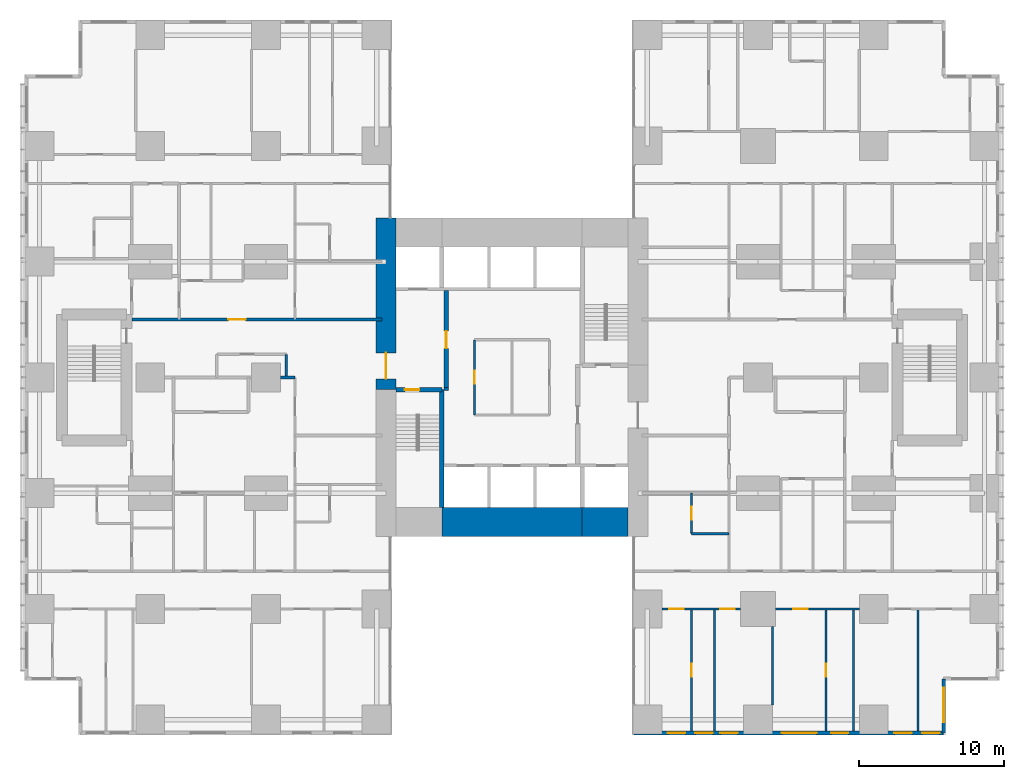
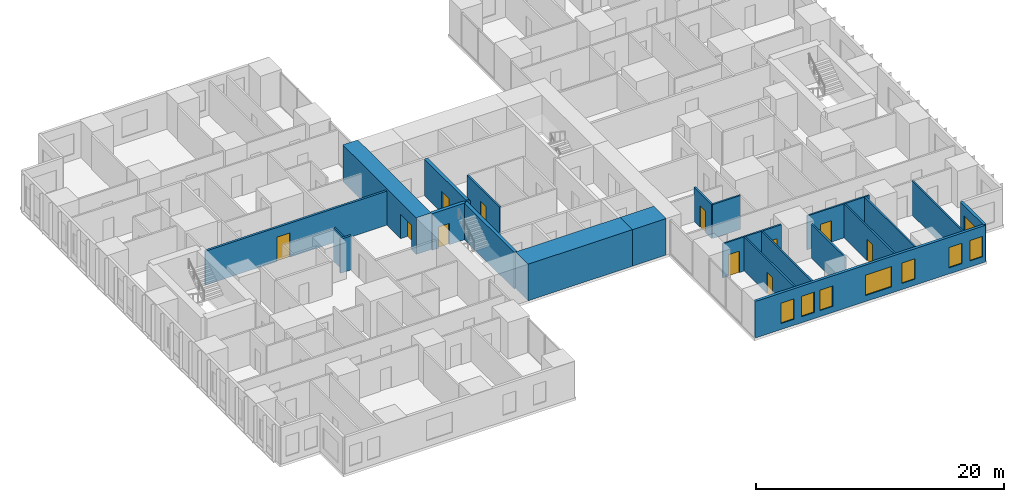
# One storey, part 14 of 20: 23 walls, 11 doors, 8 windows, 19 openings.
"""IFC4 building model written with IfcOpenShell, lengths in metres."""

from ifc_helpers import new_model, si_unit, direction, frame, frame_2d, origin, place, context, subcontext, project, spatial, rectangle, extrude, material, layer, layer_set, type_object, element, fill, save


model = new_model("IFC4")

# Units and contexts
model_context = context("Model", 3, precision=1e-05, world=origin(), true_north=direction((0.0, 1.0)))
body_context = subcontext(model_context, "Body", "Model", "MODEL_VIEW")
ifc_project = project(units=[si_unit("LENGTHUNIT", "METRE"), si_unit("AREAUNIT", "SQUARE_METRE"), si_unit("VOLUMEUNIT", "CUBIC_METRE"), si_unit("PLANEANGLEUNIT", "RADIAN"), si_unit("MASSUNIT", "GRAM", prefix="KILO")], contexts=[model_context])

# Site, building, storey
site_placement = place(None, origin())
site = spatial("IfcSite", under=ifc_project, at=site_placement, CompositionType="ELEMENT")
building_placement = place(site_placement, origin())
building = spatial("IfcBuilding", under=site, at=building_placement, Name="Cleftline Residences", CompositionType="ELEMENT")
storey_placement = place(building_placement, frame((0.0, 0.0, 83.60009765625)))
storey = spatial("IfcBuildingStorey", under=building, at=storey_placement, Name="L21", CompositionType="ELEMENT", Elevation=83.60009765625)

# Wall, opening, door
ifc_material_1 = material(Name="Concrete B70", Category="concrete")
ifc_layer_1 = layer(ifc_material_1, 1.39990234375)
ifc_layer_set_1 = layer_set([ifc_layer_1], Name="CORE WALL 1400")
wall_type_1 = type_object("IfcWallType", Name="CORE WALL 1400", PredefinedType="SHEAR", material=ifc_layer_set_1)
wall_1_placement = place(storey_placement, frame((24.300048828125, 23.14990234375, 0.0), z_axis=(0.0, 0.0, 1.0), x_axis=(0.0, 1.0, 0.0)))
wall_1 = element("IfcWall", 1, at=wall_1_placement, inside=storey, type_object=wall_type_1, Name="Core wall W", PredefinedType="SHEAR", context=body_context, shape_type="SweptSolid", body=[
    extrude(rectangle(XDim=11.85009765625, YDim=1.39990234375, at=frame_2d((5.925048828125, 0.0))), origin(), (0.0, 0.0, 1.0), 3.599853515625),
])
opening_1_placement = place(wall_1_placement, frame((0.75, 0.0, 0.0)))
opening_1 = element("IfcOpeningElement", 2, at=opening_1_placement, cuts=wall_1, Name="Opening D7", PredefinedType="OPENING", context=body_context, shape_type="SweptSolid", body=[
    extrude(rectangle(XDim=1.800048828125, YDim=2.39990234375, at=frame_2d((0.89990234375, 1.199951171875))), frame((0.0, 0.7099609375, 0.0), z_axis=(0.0, -1.0, 0.0), x_axis=(1.0, 0.0, 0.0)), (0.0, 0.0, 1.0), 1.419921875),
])
ifc_material_2 = material(Name="Steel", Category="steel")
door_type_1 = type_object("IfcDoorType", Name="WING DOOR 1800X2400", OperationType="DOUBLE_DOOR_DOUBLE_SWING", PredefinedType="DOOR", material=ifc_material_2)
door_1_placement = place(opening_1_placement, origin())
door_1 = element("IfcDoor", 3, at=door_1_placement, inside=storey, type_object=door_type_1, Name="West wing door", OperationType="DOUBLE_DOOR_DOUBLE_SWING", OverallHeight=2.39990234375, OverallWidth=1.800048828125, PredefinedType="DOOR", context=body_context, shape_type="SweptSolid", body=[
    extrude(rectangle(XDim=1.800048828125, YDim=2.39990234375, at=frame_2d((0.89990234375, 1.199951171875))), frame((0.0, 0.02490234375, 0.0), z_axis=(0.0, -1.0, 0.0), x_axis=(1.0, 0.0, 0.0)), (0.0, 0.0, 1.0), 0.050048828125),
])
fill(opening_1, door_1)

# Walls
ifc_material_3 = material(Name="Concrete B70", Category="concrete")
ifc_layer_2 = layer(ifc_material_3, 2.0)
ifc_layer_set_2 = layer_set([ifc_layer_2], Name="CORE WALL 2000")
wall_type_2 = type_object("IfcWallType", Name="CORE WALL 2000", PredefinedType="SHEAR", material=ifc_layer_set_2)
wall_2_placement = place(storey_placement, frame((28.14990234375, 14.0, 0.0), z_axis=(0.0, 0.0, 1.0), x_axis=(1.0, 0.0, 0.0)))
element("IfcWall", 4, at=wall_2_placement, inside=storey, type_object=wall_type_2, Name="Core wall S2", PredefinedType="SHEAR", context=body_context, shape_type="SweptSolid", body=[
    extrude(rectangle(XDim=9.7001953125, YDim=2.0, at=frame_2d((4.85009765625, 0.0))), origin(), (0.0, 0.0, 1.0), 3.599853515625),
])
wall_3_placement = place(storey_placement, frame((37.85009765625, 14.0, 0.0), z_axis=(0.0, 0.0, 1.0), x_axis=(1.0, 0.0, 0.0)))
element("IfcWall", 5, at=wall_3_placement, inside=storey, type_object=wall_type_2, Name="Core wall S3", PredefinedType="SHEAR", context=body_context, shape_type="SweptSolid", body=[
    extrude(rectangle(XDim=3.14990234375, YDim=2.0, at=frame_2d((1.574951171875, 0.0))), origin(), (0.0, 0.0, 1.0), 3.599853515625),
])
ifc_material_4 = material(Name="Concrete B70", Category="concrete")
ifc_layer_3 = layer(ifc_material_4, 0.300048828125)
ifc_layer_set_3 = layer_set([ifc_layer_3], Name="CORE WALL 300")
wall_type_3 = type_object("IfcWallType", Name="CORE WALL 300", PredefinedType="SHEAR", material=ifc_layer_set_3)
wall_4_placement = place(storey_placement, frame((28.14990234375, 15.0, 0.0), z_axis=(0.0, 0.0, 1.0), x_axis=(0.0, 1.0, 0.0)))
element("IfcWall", 6, at=wall_4_placement, inside=storey, type_object=wall_type_3, Name="Core wall SA-E", PredefinedType="SHEAR", context=body_context, shape_type="SweptSolid", body=[
    extrude(rectangle(XDim=8.14990234375, YDim=0.300048828125, at=frame_2d((4.074951171875, 0.0))), origin(), (0.0, 0.0, 1.0), 3.599853515625),
])

# Wall, opening, door
wall_5_placement = place(storey_placement, frame((25.0, 23.14990234375, 0.0), z_axis=(0.0, 0.0, 1.0), x_axis=(1.0, 0.0, 0.0)))
wall_5 = element("IfcWall", 7, at=wall_5_placement, inside=storey, type_object=wall_type_3, Name="Core wall SA-N", PredefinedType="SHEAR", context=body_context, shape_type="SweptSolid", body=[
    extrude(rectangle(XDim=3.14990234375, YDim=0.300048828125, at=frame_2d((1.574951171875, 0.0))), origin(), (0.0, 0.0, 1.0), 3.599853515625),
])
opening_2_placement = place(wall_5_placement, frame((0.60009765625, 0.0, 0.0)))
opening_2 = element("IfcOpeningElement", 8, at=opening_2_placement, cuts=wall_5, Name="Opening D5", PredefinedType="OPENING", context=body_context, shape_type="SweptSolid", body=[
    extrude(rectangle(XDim=1.0, YDim=2.10009765625, at=frame_2d((0.5, 1.050048828125))), frame((0.0, 0.159912109375, 0.0), z_axis=(0.0, -1.0, 0.0), x_axis=(1.0, 0.0, 0.0)), (0.0, 0.0, 1.0), 0.320068359375),
])
ifc_material_5 = material(Name="Steel", Category="steel")
door_type_2 = type_object("IfcDoorType", Name="STAIR DOOR 1000X2100", OperationType="SINGLE_SWING_LEFT", PredefinedType="DOOR", material=ifc_material_5)
door_2_placement = place(opening_2_placement, origin())
door_2 = element("IfcDoor", 9, at=door_2_placement, inside=storey, type_object=door_type_2, Name="Stair A door", OperationType="SINGLE_SWING_RIGHT", OverallHeight=2.10009765625, OverallWidth=1.0, PredefinedType="DOOR", context=body_context, shape_type="SweptSolid", body=[
    extrude(rectangle(XDim=1.0, YDim=2.10009765625, at=frame_2d((0.5, 1.050048828125))), frame((0.0, 0.02490234375, 0.0), z_axis=(0.0, -1.0, 0.0), x_axis=(1.0, 0.0, 0.0)), (0.0, 0.0, 1.0), 0.050048828125),
])
fill(opening_2, door_2)

# Wall, openings, windows
ifc_material_6 = material(Name="Rendered reinforced concrete blockwork", Category="masonry")
ifc_layer_4 = layer(ifc_material_6, 0.25)
ifc_layer_set_4 = layer_set([ifc_layer_4], Name="EXTERNAL WALL 250")
wall_type_4 = type_object("IfcWallType", Name="EXTERNAL WALL 250", PredefinedType="SOLIDWALL", material=ifc_layer_set_4)
wall_6_placement = place(storey_placement, frame((41.425048828125, -0.574951171875, 0.0), z_axis=(0.0, 0.0, 1.0), x_axis=(1.0, 0.0, 0.0)))
wall_6 = element("IfcWall", 10, at=wall_6_placement, inside=storey, type_object=wall_type_4, Name="External wall", PredefinedType="SOLIDWALL", context=body_context, shape_type="SweptSolid", body=[
    extrude(rectangle(XDim=21.39990234375, YDim=0.25, at=frame_2d((10.699951171875, 0.0))), origin(), (0.0, 0.0, 1.0), 3.599853515625),
])
opening_3_placement = place(wall_6_placement, frame((2.35009765625, 0.0, 0.60009765625)))
opening_3 = element("IfcOpeningElement", 11, at=opening_3_placement, cuts=wall_6, Name="Opening W8", PredefinedType="OPENING", context=body_context, shape_type="SweptSolid", body=[
    extrude(rectangle(XDim=1.199951171875, YDim=2.0, at=frame_2d((0.60009765625, 1.0))), frame((0.0, 0.135009765625, 0.0), z_axis=(0.0, -1.0, 0.0), x_axis=(1.0, 0.0, 0.0)), (0.0, 0.0, 1.0), 0.27001953125),
])
opening_4_placement = place(wall_6_placement, frame((4.25, 0.0, 0.60009765625)))
opening_4 = element("IfcOpeningElement", 12, at=opening_4_placement, cuts=wall_6, Name="Opening W8", PredefinedType="OPENING", context=body_context, shape_type="SweptSolid", body=[
    extrude(rectangle(XDim=1.199951171875, YDim=2.0, at=frame_2d((0.60009765625, 1.0))), frame((0.0, 0.135009765625, 0.0), z_axis=(0.0, -1.0, 0.0), x_axis=(1.0, 0.0, 0.0)), (0.0, 0.0, 1.0), 0.27001953125),
])
opening_5_placement = place(wall_6_placement, frame((5.97509765625, 0.0, 0.60009765625)))
opening_5 = element("IfcOpeningElement", 13, at=opening_5_placement, cuts=wall_6, Name="Opening W8", PredefinedType="OPENING", context=body_context, shape_type="SweptSolid", body=[
    extrude(rectangle(XDim=1.199951171875, YDim=2.0, at=frame_2d((0.60009765625, 1.0))), frame((0.0, 0.135009765625, 0.0), z_axis=(0.0, -1.0, 0.0), x_axis=(1.0, 0.0, 0.0)), (0.0, 0.0, 1.0), 0.27001953125),
])
opening_6_placement = place(wall_6_placement, frame((10.22509765625, 0.0, 0.60009765625)))
opening_6 = element("IfcOpeningElement", 14, at=opening_6_placement, cuts=wall_6, Name="Opening W6", PredefinedType="OPENING", context=body_context, shape_type="SweptSolid", body=[
    extrude(rectangle(XDim=2.39990234375, YDim=2.0, at=frame_2d((1.199951171875, 1.0))), frame((0.0, 0.135009765625, 0.0), z_axis=(0.0, -1.0, 0.0), x_axis=(1.0, 0.0, 0.0)), (0.0, 0.0, 1.0), 0.27001953125),
])
opening_7_placement = place(wall_6_placement, frame((13.625, 0.0, 0.60009765625)))
opening_7 = element("IfcOpeningElement", 15, at=opening_7_placement, cuts=wall_6, Name="Opening W8", PredefinedType="OPENING", context=body_context, shape_type="SweptSolid", body=[
    extrude(rectangle(XDim=1.199951171875, YDim=2.0, at=frame_2d((0.60009765625, 1.0))), frame((0.0, 0.135009765625, 0.0), z_axis=(0.0, -1.0, 0.0), x_axis=(1.0, 0.0, 0.0)), (0.0, 0.0, 1.0), 0.27001953125),
])
opening_8_placement = place(wall_6_placement, frame((18.0, 0.0, 0.60009765625)))
opening_8 = element("IfcOpeningElement", 16, at=opening_8_placement, cuts=wall_6, Name="Opening W8", PredefinedType="OPENING", context=body_context, shape_type="SweptSolid", body=[
    extrude(rectangle(XDim=1.199951171875, YDim=2.0, at=frame_2d((0.60009765625, 1.0))), frame((0.0, 0.135009765625, 0.0), z_axis=(0.0, -1.0, 0.0), x_axis=(1.0, 0.0, 0.0)), (0.0, 0.0, 1.0), 0.27001953125),
])
opening_9_placement = place(wall_6_placement, frame((19.925048828125, 0.0, 0.60009765625)))
opening_9 = element("IfcOpeningElement", 17, at=opening_9_placement, cuts=wall_6, Name="Opening W8", PredefinedType="OPENING", context=body_context, shape_type="SweptSolid", body=[
    extrude(rectangle(XDim=1.199951171875, YDim=2.0, at=frame_2d((0.60009765625, 1.0))), frame((0.0, 0.135009765625, 0.0), z_axis=(0.0, -1.0, 0.0), x_axis=(1.0, 0.0, 0.0)), (0.0, 0.0, 1.0), 0.27001953125),
])
ifc_material_7 = material(Name="Aluminium frame, clear double glazing", Category="aluminium")
window_type_1 = type_object("IfcWindowType", Name="WINDOW 1200X2000", PartitioningType="DOUBLE_PANEL_VERTICAL", PredefinedType="WINDOW", material=ifc_material_7)
window_1_placement = place(opening_3_placement, origin())
window_1 = element("IfcWindow", 18, at=window_1_placement, inside=storey, type_object=window_type_1, Name="Window", OverallHeight=2.0, OverallWidth=1.199951171875, PartitioningType="SINGLE_PANEL", PredefinedType="WINDOW", context=body_context, shape_type="SweptSolid", body=[
    extrude(rectangle(XDim=1.199951171875, YDim=2.0, at=frame_2d((0.60009765625, 1.0))), frame((0.0, 0.030029296875, 0.0), z_axis=(0.0, -1.0, 0.0), x_axis=(1.0, 0.0, 0.0)), (0.0, 0.0, 1.0), 0.06005859375),
])
fill(opening_3, window_1)
window_2_placement = place(opening_4_placement, origin())
window_2 = element("IfcWindow", 19, at=window_2_placement, inside=storey, type_object=window_type_1, Name="Window", OverallHeight=2.0, OverallWidth=1.199951171875, PartitioningType="SINGLE_PANEL", PredefinedType="WINDOW", context=body_context, shape_type="SweptSolid", body=[
    extrude(rectangle(XDim=1.199951171875, YDim=2.0, at=frame_2d((0.60009765625, 1.0))), frame((0.0, 0.030029296875, 0.0), z_axis=(0.0, -1.0, 0.0), x_axis=(1.0, 0.0, 0.0)), (0.0, 0.0, 1.0), 0.06005859375),
])
fill(opening_4, window_2)
window_3_placement = place(opening_5_placement, origin())
window_3 = element("IfcWindow", 20, at=window_3_placement, inside=storey, type_object=window_type_1, Name="Window", OverallHeight=2.0, OverallWidth=1.199951171875, PartitioningType="SINGLE_PANEL", PredefinedType="WINDOW", context=body_context, shape_type="SweptSolid", body=[
    extrude(rectangle(XDim=1.199951171875, YDim=2.0, at=frame_2d((0.60009765625, 1.0))), frame((0.0, 0.030029296875, 0.0), z_axis=(0.0, -1.0, 0.0), x_axis=(1.0, 0.0, 0.0)), (0.0, 0.0, 1.0), 0.06005859375),
])
fill(opening_5, window_3)
window_4_placement = place(opening_7_placement, origin())
window_4 = element("IfcWindow", 21, at=window_4_placement, inside=storey, type_object=window_type_1, Name="Window", OverallHeight=2.0, OverallWidth=1.199951171875, PartitioningType="SINGLE_PANEL", PredefinedType="WINDOW", context=body_context, shape_type="SweptSolid", body=[
    extrude(rectangle(XDim=1.199951171875, YDim=2.0, at=frame_2d((0.60009765625, 1.0))), frame((0.0, 0.030029296875, 0.0), z_axis=(0.0, -1.0, 0.0), x_axis=(1.0, 0.0, 0.0)), (0.0, 0.0, 1.0), 0.06005859375),
])
fill(opening_7, window_4)
window_5_placement = place(opening_8_placement, origin())
window_5 = element("IfcWindow", 22, at=window_5_placement, inside=storey, type_object=window_type_1, Name="Window", OverallHeight=2.0, OverallWidth=1.199951171875, PartitioningType="SINGLE_PANEL", PredefinedType="WINDOW", context=body_context, shape_type="SweptSolid", body=[
    extrude(rectangle(XDim=1.199951171875, YDim=2.0, at=frame_2d((0.60009765625, 1.0))), frame((0.0, 0.030029296875, 0.0), z_axis=(0.0, -1.0, 0.0), x_axis=(1.0, 0.0, 0.0)), (0.0, 0.0, 1.0), 0.06005859375),
])
fill(opening_8, window_5)
window_6_placement = place(opening_9_placement, origin())
window_6 = element("IfcWindow", 23, at=window_6_placement, inside=storey, type_object=window_type_1, Name="Window", OverallHeight=2.0, OverallWidth=1.199951171875, PartitioningType="SINGLE_PANEL", PredefinedType="WINDOW", context=body_context, shape_type="SweptSolid", body=[
    extrude(rectangle(XDim=1.199951171875, YDim=2.0, at=frame_2d((0.60009765625, 1.0))), frame((0.0, 0.030029296875, 0.0), z_axis=(0.0, -1.0, 0.0), x_axis=(1.0, 0.0, 0.0)), (0.0, 0.0, 1.0), 0.06005859375),
])
fill(opening_9, window_6)
ifc_material_8 = material(Name="Aluminium frame, clear double glazing", Category="aluminium")
window_type_2 = type_object("IfcWindowType", Name="WINDOW 2400X2000", PartitioningType="DOUBLE_PANEL_VERTICAL", PredefinedType="WINDOW", material=ifc_material_8)
window_7_placement = place(opening_6_placement, origin())
window_7 = element("IfcWindow", 24, at=window_7_placement, inside=storey, type_object=window_type_2, Name="Window", OverallHeight=2.0, OverallWidth=2.39990234375, PartitioningType="SINGLE_PANEL", PredefinedType="WINDOW", context=body_context, shape_type="SweptSolid", body=[
    extrude(rectangle(XDim=2.39990234375, YDim=2.0, at=frame_2d((1.199951171875, 1.0))), frame((0.0, 0.030029296875, 0.0), z_axis=(0.0, -1.0, 0.0), x_axis=(1.0, 0.0, 0.0)), (0.0, 0.0, 1.0), 0.06005859375),
])
fill(opening_6, window_7)

# Wall, opening, window
wall_7_placement = place(storey_placement, frame((62.824951171875, -0.574951171875, 0.0), z_axis=(0.0, 0.0, 1.0), x_axis=(0.0, 1.0, 0.0)))
wall_7 = element("IfcWall", 25, at=wall_7_placement, inside=storey, type_object=wall_type_4, Name="External wall", PredefinedType="SOLIDWALL", context=body_context, shape_type="SweptSolid", body=[
    extrude(rectangle(XDim=3.75, YDim=0.25, at=frame_2d((1.875, 0.0))), origin(), (0.0, 0.0, 1.0), 3.599853515625),
])
opening_10_placement = place(wall_7_placement, frame((0.737548828125, 0.0, 0.60009765625)))
opening_10 = element("IfcOpeningElement", 26, at=opening_10_placement, cuts=wall_7, Name="Opening W6", PredefinedType="OPENING", context=body_context, shape_type="SweptSolid", body=[
    extrude(rectangle(XDim=2.39990234375, YDim=2.0, at=frame_2d((1.199951171875, 1.0))), frame((0.0, 0.135009765625, 0.0), z_axis=(0.0, -1.0, 0.0), x_axis=(1.0, 0.0, 0.0)), (0.0, 0.0, 1.0), 0.27001953125),
])
window_8_placement = place(opening_10_placement, origin())
window_8 = element("IfcWindow", 27, at=window_8_placement, inside=storey, type_object=window_type_2, Name="Window", OverallHeight=2.0, OverallWidth=2.39990234375, PartitioningType="SINGLE_PANEL", PredefinedType="WINDOW", context=body_context, shape_type="SweptSolid", body=[
    extrude(rectangle(XDim=2.39990234375, YDim=2.0, at=frame_2d((1.199951171875, 1.0))), frame((0.0, 0.030029296875, 0.0), z_axis=(0.0, -1.0, 0.0), x_axis=(1.0, 0.0, 0.0)), (0.0, 0.0, 1.0), 0.06005859375),
])
fill(opening_10, window_8)

# Wall
ifc_material_9 = material(Name="Concrete blockwork, fire rated", Category="masonry")
ifc_layer_5 = layer(ifc_material_9, 0.199951171875)
ifc_layer_set_5 = layer_set([ifc_layer_5], Name="FIRE WALL 200")
wall_type_5 = type_object("IfcWallType", Name="FIRE WALL 200", PredefinedType="PARTITIONING", material=ifc_layer_set_5)
wall_8_placement = place(storey_placement, frame((17.0, 24.0, 0.0), z_axis=(0.0, 0.0, 1.0), x_axis=(1.0, 0.0, 0.0)))
element("IfcWall", 28, at=wall_8_placement, inside=storey, type_object=wall_type_5, Name="Fire separating wall", PredefinedType="PARTITIONING", context=body_context, shape_type="SweptSolid", body=[
    extrude(rectangle(XDim=1.0, YDim=0.199951171875, at=frame_2d((0.5, 0.0))), origin(), (0.0, 0.0, 1.0), 3.349853515625),
])

# Wall, opening, door
wall_9_placement = place(storey_placement, frame((6.72509765625, 28.0, 0.0), z_axis=(0.0, 0.0, 1.0), x_axis=(1.0, 0.0, 0.0)))
wall_9 = element("IfcWall", 29, at=wall_9_placement, inside=storey, type_object=wall_type_5, Name="Fire separating wall", PredefinedType="PARTITIONING", context=body_context, shape_type="SweptSolid", body=[
    extrude(rectangle(XDim=17.27490234375, YDim=0.199951171875, at=frame_2d((8.637451171875, 0.0))), origin(), (0.0, 0.0, 1.0), 3.349853515625),
])
opening_11_placement = place(wall_9_placement, frame((6.675048828125, 0.0, 0.0)))
opening_11 = element("IfcOpeningElement", 30, at=opening_11_placement, cuts=wall_9, Name="Opening D4", PredefinedType="OPENING", context=body_context, shape_type="SweptSolid", body=[
    extrude(rectangle(XDim=1.199951171875, YDim=2.39990234375, at=frame_2d((0.60009765625, 1.199951171875))), frame((0.0, 0.10986328125, 0.0), z_axis=(0.0, -1.0, 0.0), x_axis=(1.0, 0.0, 0.0)), (0.0, 0.0, 1.0), 0.219970703125),
])
ifc_material_10 = material(Name="Timber veneer on solid core", Category="wood")
door_type_3 = type_object("IfcDoorType", Name="APARTMENT ENTRANCE DOOR 1200X2400", OperationType="SINGLE_SWING_RIGHT", PredefinedType="DOOR", material=ifc_material_10)
door_3_placement = place(opening_11_placement, origin())
door_3 = element("IfcDoor", 31, at=door_3_placement, inside=storey, type_object=door_type_3, Name="Door to residence entrance foyer", OperationType="SINGLE_SWING_RIGHT", OverallHeight=2.39990234375, OverallWidth=1.199951171875, PredefinedType="DOOR", context=body_context, shape_type="SweptSolid", body=[
    extrude(rectangle(XDim=1.199951171875, YDim=2.39990234375, at=frame_2d((0.60009765625, 1.199951171875))), frame((0.0, 0.02490234375, 0.0), z_axis=(0.0, -1.0, 0.0), x_axis=(1.0, 0.0, 0.0)), (0.0, 0.0, 1.0), 0.050048828125),
])
fill(opening_11, door_3)

# Wall
wall_10_placement = place(storey_placement, frame((28.300048828125, 23.199951171875, 0.0), z_axis=(0.0, 0.0, 1.0), x_axis=(1.0, 0.0, 0.0)))
element("IfcWall", 32, at=wall_10_placement, inside=storey, type_object=wall_type_5, Name="Fire separating wall", PredefinedType="PARTITIONING", context=body_context, shape_type="SweptSolid", body=[
    extrude(rectangle(XDim=0.300048828125, YDim=0.199951171875, at=frame_2d((0.14990234375, 0.0))), origin(), (0.0, 0.0, 1.0), 3.599853515625),
])

# Wall, openings, doors
ifc_material_11 = material(Name="Gypsum board on steel studs", Category="steel")
ifc_layer_6 = layer(ifc_material_11, 0.14990234375)
ifc_layer_set_6 = layer_set([ifc_layer_6], Name="PARTITION 150")
wall_type_6 = type_object("IfcWallType", Name="PARTITION 150", PredefinedType="PARTITIONING", material=ifc_layer_set_6)
wall_11_placement = place(storey_placement, frame((43.35009765625, 8.0, 0.0), z_axis=(0.0, 0.0, 1.0), x_axis=(1.0, 0.0, 0.0)))
wall_11 = element("IfcWall", 33, at=wall_11_placement, inside=storey, type_object=wall_type_6, Name="Partition", PredefinedType="PARTITIONING", context=body_context, shape_type="SweptSolid", body=[
    extrude(rectangle(XDim=5.449951171875, YDim=0.14990234375, at=frame_2d((2.72509765625, 0.0))), origin(), (0.0, 0.0, 1.0), 3.349853515625),
])
opening_12_placement = place(wall_11_placement, frame((4.050048828125, 0.0, 0.0)))
opening_12 = element("IfcOpeningElement", 34, at=opening_12_placement, cuts=wall_11, Name="Opening D2", PredefinedType="OPENING", context=body_context, shape_type="SweptSolid", body=[
    extrude(rectangle(XDim=1.0, YDim=2.10009765625, at=frame_2d((0.5, 1.050048828125))), frame((0.0, 0.0849609375, 0.0), z_axis=(0.0, -1.0, 0.0), x_axis=(1.0, 0.0, 0.0)), (0.0, 0.0, 1.0), 0.169921875),
])
opening_13_placement = place(wall_11_placement, frame((0.52490234375, 0.0, 0.0)))
opening_13 = element("IfcOpeningElement", 35, at=opening_13_placement, cuts=wall_11, Name="Opening D2", PredefinedType="OPENING", context=body_context, shape_type="SweptSolid", body=[
    extrude(rectangle(XDim=1.0, YDim=2.10009765625, at=frame_2d((0.5, 1.050048828125))), frame((0.0, 0.0849609375, 0.0), z_axis=(0.0, -1.0, 0.0), x_axis=(1.0, 0.0, 0.0)), (0.0, 0.0, 1.0), 0.169921875),
])
ifc_material_12 = material(Name="Timber veneer on solid core", Category="wood")
door_type_4 = type_object("IfcDoorType", Name="DOOR 1000X2100", OperationType="SINGLE_SWING_LEFT", PredefinedType="DOOR", material=ifc_material_12)
door_4_placement = place(opening_12_placement, origin())
door_4 = element("IfcDoor", 36, at=door_4_placement, inside=storey, type_object=door_type_4, Name="Door to dining room", OperationType="SINGLE_SWING_LEFT", OverallHeight=2.10009765625, OverallWidth=1.0, PredefinedType="DOOR", context=body_context, shape_type="SweptSolid", body=[
    extrude(rectangle(XDim=1.0, YDim=2.10009765625, at=frame_2d((0.5, 1.050048828125))), frame((0.0, 0.02490234375, 0.0), z_axis=(0.0, -1.0, 0.0), x_axis=(1.0, 0.0, 0.0)), (0.0, 0.0, 1.0), 0.050048828125),
])
fill(opening_12, door_4)
door_5_placement = place(opening_13_placement, origin())
door_5 = element("IfcDoor", 37, at=door_5_placement, inside=storey, type_object=door_type_4, Name="Door to show kitchen", OperationType="SINGLE_SWING_RIGHT", OverallHeight=2.10009765625, OverallWidth=1.0, PredefinedType="DOOR", context=body_context, shape_type="SweptSolid", body=[
    extrude(rectangle(XDim=1.0, YDim=2.10009765625, at=frame_2d((0.5, 1.050048828125))), frame((0.0, 0.02490234375, 0.0), z_axis=(0.0, -1.0, 0.0), x_axis=(1.0, 0.0, 0.0)), (0.0, 0.0, 1.0), 0.050048828125),
])
fill(opening_13, door_5)

# Wall, opening, door
wall_12_placement = place(storey_placement, frame((51.199951171875, 8.0, 0.0), z_axis=(0.0, 0.0, 1.0), x_axis=(1.0, 0.0, 0.0)))
wall_12 = element("IfcWall", 38, at=wall_12_placement, inside=storey, type_object=wall_type_6, Name="Partition", PredefinedType="PARTITIONING", context=body_context, shape_type="SweptSolid", body=[
    extrude(rectangle(XDim=5.800048828125, YDim=0.14990234375, at=frame_2d((2.89990234375, 0.0))), origin(), (0.0, 0.0, 1.0), 3.349853515625),
])
opening_14_placement = place(wall_12_placement, frame((1.25, 0.0, 0.0)))
opening_14 = element("IfcOpeningElement", 39, at=opening_14_placement, cuts=wall_12, Name="Opening D2", PredefinedType="OPENING", context=body_context, shape_type="SweptSolid", body=[
    extrude(rectangle(XDim=1.0, YDim=2.10009765625, at=frame_2d((0.5, 1.050048828125))), frame((0.0, 0.0849609375, 0.0), z_axis=(0.0, -1.0, 0.0), x_axis=(1.0, 0.0, 0.0)), (0.0, 0.0, 1.0), 0.169921875),
])
door_6_placement = place(opening_14_placement, origin())
door_6 = element("IfcDoor", 40, at=door_6_placement, inside=storey, type_object=door_type_4, Name="Door to bedroom 3", OperationType="SINGLE_SWING_RIGHT", OverallHeight=2.10009765625, OverallWidth=1.0, PredefinedType="DOOR", context=body_context, shape_type="SweptSolid", body=[
    extrude(rectangle(XDim=1.0, YDim=2.10009765625, at=frame_2d((0.5, 1.050048828125))), frame((0.0, 0.02490234375, 0.0), z_axis=(0.0, -1.0, 0.0), x_axis=(1.0, 0.0, 0.0)), (0.0, 0.0, 1.0), 0.050048828125),
])
fill(opening_14, door_6)

# Walls
wall_13_placement = place(storey_placement, frame((45.39990234375, 13.199951171875, 0.0), z_axis=(0.0, 0.0, 1.0), x_axis=(1.0, 0.0, 0.0)))
element("IfcWall", 41, at=wall_13_placement, inside=storey, type_object=wall_type_6, Name="Partition", PredefinedType="PARTITIONING", context=body_context, shape_type="SweptSolid", body=[
    extrude(rectangle(XDim=2.60009765625, YDim=0.14990234375, at=frame_2d((1.300048828125, 0.0))), origin(), (0.0, 0.0, 1.0), 3.349853515625),
])
wall_14_placement = place(storey_placement, frame((17.39990234375, 24.0, 0.0), z_axis=(0.0, 0.0, 1.0), x_axis=(0.0, 1.0, 0.0)))
element("IfcWall", 42, at=wall_14_placement, inside=storey, type_object=wall_type_6, Name="Partition", PredefinedType="PARTITIONING", context=body_context, shape_type="SweptSolid", body=[
    extrude(rectangle(XDim=1.60009765625, YDim=0.14990234375, at=frame_2d((0.800048828125, 0.0))), origin(), (0.0, 0.0, 1.0), 3.349853515625),
])

# Wall, opening, door
wall_15_placement = place(storey_placement, frame((45.39990234375, -0.449951171875, 0.0), z_axis=(0.0, 0.0, 1.0), x_axis=(0.0, 1.0, 0.0)))
wall_15 = element("IfcWall", 43, at=wall_15_placement, inside=storey, type_object=wall_type_6, Name="Partition", PredefinedType="PARTITIONING", context=body_context, shape_type="SweptSolid", body=[
    extrude(rectangle(XDim=8.449951171875, YDim=0.14990234375, at=frame_2d((4.22509765625, 0.0))), origin(), (0.0, 0.0, 1.0), 3.349853515625),
])
opening_15_placement = place(wall_15_placement, frame((3.77490234375, 0.0, 0.0)))
opening_15 = element("IfcOpeningElement", 44, at=opening_15_placement, cuts=wall_15, Name="Opening D1", PredefinedType="OPENING", context=body_context, shape_type="SweptSolid", body=[
    extrude(rectangle(XDim=0.89990234375, YDim=2.10009765625, at=frame_2d((0.449951171875, 1.050048828125))), frame((0.0, 0.0849609375, 0.0), z_axis=(0.0, -1.0, 0.0), x_axis=(1.0, 0.0, 0.0)), (0.0, 0.0, 1.0), 0.169921875),
])
ifc_material_13 = material(Name="Timber veneer on solid core", Category="wood")
door_type_5 = type_object("IfcDoorType", Name="DOOR 900X2100", OperationType="SINGLE_SWING_LEFT", PredefinedType="DOOR", material=ifc_material_13)
door_7_placement = place(opening_15_placement, origin())
door_7 = element("IfcDoor", 45, at=door_7_placement, inside=storey, type_object=door_type_5, Name="Door to larder", OperationType="SINGLE_SWING_LEFT", OverallHeight=2.10009765625, OverallWidth=0.89990234375, PredefinedType="DOOR", context=body_context, shape_type="SweptSolid", body=[
    extrude(rectangle(XDim=0.89990234375, YDim=2.10009765625, at=frame_2d((0.449951171875, 1.050048828125))), frame((0.0, 0.02490234375, 0.0), z_axis=(0.0, -1.0, 0.0), x_axis=(1.0, 0.0, 0.0)), (0.0, 0.0, 1.0), 0.050048828125),
])
fill(opening_15, door_7)

wall_16_placement = place(storey_placement, frame((45.39990234375, 13.199951171875, 0.0), z_axis=(0.0, 0.0, 1.0), x_axis=(0.0, 1.0, 0.0)))
wall_16 = element("IfcWall", 46, at=wall_16_placement, inside=storey, type_object=wall_type_6, Name="Partition", PredefinedType="PARTITIONING", context=body_context, shape_type="SweptSolid", body=[
    extrude(rectangle(XDim=2.800048828125, YDim=0.14990234375, at=frame_2d((1.39990234375, 0.0))), origin(), (0.0, 0.0, 1.0), 3.349853515625),
])
opening_16_placement = place(wall_16_placement, frame((0.949951171875, 0.0, 0.0)))
opening_16 = element("IfcOpeningElement", 47, at=opening_16_placement, cuts=wall_16, Name="Opening D1", PredefinedType="OPENING", context=body_context, shape_type="SweptSolid", body=[
    extrude(rectangle(XDim=0.89990234375, YDim=2.10009765625, at=frame_2d((0.449951171875, 1.050048828125))), frame((0.0, 0.0849609375, 0.0), z_axis=(0.0, -1.0, 0.0), x_axis=(1.0, 0.0, 0.0)), (0.0, 0.0, 1.0), 0.169921875),
])
door_8_placement = place(opening_16_placement, origin())
door_8 = element("IfcDoor", 48, at=door_8_placement, inside=storey, type_object=door_type_5, Name="Door to master bathroom", OperationType="SINGLE_SWING_LEFT", OverallHeight=2.10009765625, OverallWidth=0.89990234375, PredefinedType="DOOR", context=body_context, shape_type="SweptSolid", body=[
    extrude(rectangle(XDim=0.89990234375, YDim=2.10009765625, at=frame_2d((0.449951171875, 1.050048828125))), frame((0.0, 0.02490234375, 0.0), z_axis=(0.0, -1.0, 0.0), x_axis=(1.0, 0.0, 0.0)), (0.0, 0.0, 1.0), 0.050048828125),
])
fill(opening_16, door_8)

# Walls
wall_17_placement = place(storey_placement, frame((47.0, -0.449951171875, 0.0), z_axis=(0.0, 0.0, 1.0), x_axis=(0.0, 1.0, 0.0)))
element("IfcWall", 49, at=wall_17_placement, inside=storey, type_object=wall_type_6, Name="Partition", PredefinedType="PARTITIONING", context=body_context, shape_type="SweptSolid", body=[
    extrude(rectangle(XDim=8.449951171875, YDim=0.14990234375, at=frame_2d((4.22509765625, 0.0))), origin(), (0.0, 0.0, 1.0), 3.349853515625),
])
wall_18_placement = place(storey_placement, frame((51.0, 1.35009765625, 0.0), z_axis=(0.0, 0.0, 1.0), x_axis=(0.0, 1.0, 0.0)))
element("IfcWall", 50, at=wall_18_placement, inside=storey, type_object=wall_type_6, Name="Partition", PredefinedType="PARTITIONING", context=body_context, shape_type="SweptSolid", body=[
    extrude(rectangle(XDim=5.449951171875, YDim=0.14990234375, at=frame_2d((2.72509765625, 0.0))), origin(), (0.0, 0.0, 1.0), 3.349853515625),
])

# Wall, opening, door
wall_19_placement = place(storey_placement, frame((54.699951171875, -0.449951171875, 0.0), z_axis=(0.0, 0.0, 1.0), x_axis=(0.0, 1.0, 0.0)))
wall_19 = element("IfcWall", 51, at=wall_19_placement, inside=storey, type_object=wall_type_6, Name="Partition", PredefinedType="PARTITIONING", context=body_context, shape_type="SweptSolid", body=[
    extrude(rectangle(XDim=8.449951171875, YDim=0.14990234375, at=frame_2d((4.22509765625, 0.0))), origin(), (0.0, 0.0, 1.0), 3.349853515625),
])
opening_17_placement = place(wall_19_placement, frame((3.77490234375, 0.0, 0.0)))
opening_17 = element("IfcOpeningElement", 52, at=opening_17_placement, cuts=wall_19, Name="Opening D1", PredefinedType="OPENING", context=body_context, shape_type="SweptSolid", body=[
    extrude(rectangle(XDim=0.89990234375, YDim=2.10009765625, at=frame_2d((0.449951171875, 1.050048828125))), frame((0.0, 0.0849609375, 0.0), z_axis=(0.0, -1.0, 0.0), x_axis=(1.0, 0.0, 0.0)), (0.0, 0.0, 1.0), 0.169921875),
])
door_9_placement = place(opening_17_placement, origin())
door_9 = element("IfcDoor", 53, at=door_9_placement, inside=storey, type_object=door_type_5, Name="Door to en-suite bathroom 3", OperationType="SINGLE_SWING_LEFT", OverallHeight=2.10009765625, OverallWidth=0.89990234375, PredefinedType="DOOR", context=body_context, shape_type="SweptSolid", body=[
    extrude(rectangle(XDim=0.89990234375, YDim=2.10009765625, at=frame_2d((0.449951171875, 1.050048828125))), frame((0.0, 0.02490234375, 0.0), z_axis=(0.0, -1.0, 0.0), x_axis=(1.0, 0.0, 0.0)), (0.0, 0.0, 1.0), 0.050048828125),
])
fill(opening_17, door_9)

# Walls
for number, where, z_axis, x_axis, name in (
    (54, (56.60009765625, -0.449951171875, 0.0), (0.0, 0.0, 1.0), (0.0, 1.0, 0.0), "Partition"),
    (55, (61.050048828125, -0.449951171875, 0.0), (0.0, 0.0, 1.0), (0.0, 1.0, 0.0), "Partition"),
):
    element("IfcWall", number, at=place(storey_placement, frame(where, z_axis=z_axis, x_axis=x_axis)), inside=storey, type_object=wall_type_6, Name=name, PredefinedType="PARTITIONING", context=body_context, shape_type="SweptSolid", body=[
        extrude(rectangle(XDim=8.449951171875, YDim=0.14990234375, at=frame_2d((4.22509765625, 0.0))), origin(), (0.0, 0.0, 1.0), 3.349853515625),
    ])

# Wall, opening, door
ifc_material_14 = material(Name="Fire-resisting gypsum board on steel studs", Category="steel")
ifc_layer_7 = layer(ifc_material_14, 0.14990234375)
ifc_layer_set_7 = layer_set([ifc_layer_7], Name="PARTITION 150 EI 60")
wall_type_7 = type_object("IfcWallType", Name="PARTITION 150 EI 60", PredefinedType="PARTITIONING", material=ifc_layer_set_7)
wall_20_placement = place(storey_placement, frame((30.39990234375, 21.39990234375, 0.0), z_axis=(0.0, 0.0, 1.0), x_axis=(0.0, 1.0, 0.0)))
wall_20 = element("IfcWall", 56, at=wall_20_placement, inside=storey, type_object=wall_type_7, Name="Core room partition", PredefinedType="PARTITIONING", context=body_context, shape_type="SweptSolid", body=[
    extrude(rectangle(XDim=5.2001953125, YDim=0.14990234375, at=frame_2d((2.60009765625, 0.0))), origin(), (0.0, 0.0, 1.0), 3.349853515625),
])
opening_18_placement = place(wall_20_placement, frame((2.14990234375, 0.0, 0.0)))
opening_18 = element("IfcOpeningElement", 57, at=opening_18_placement, cuts=wall_20, Name="Opening D1F30", PredefinedType="OPENING", context=body_context, shape_type="SweptSolid", body=[
    extrude(rectangle(XDim=0.89990234375, YDim=2.10009765625, at=frame_2d((0.449951171875, 1.050048828125))), frame((0.0, 0.0849609375, 0.0), z_axis=(0.0, -1.0, 0.0), x_axis=(1.0, 0.0, 0.0)), (0.0, 0.0, 1.0), 0.169921875),
])
ifc_material_15 = material(Name="Timber veneer on solid core", Category="wood")
door_type_6 = type_object("IfcDoorType", Name="DOOR 900X2100 EI 30", OperationType="SINGLE_SWING_LEFT", PredefinedType="DOOR", material=ifc_material_15)
door_10_placement = place(opening_18_placement, origin())
door_10 = element("IfcDoor", 58, at=door_10_placement, inside=storey, type_object=door_type_6, Name="Door to guest pantry", OperationType="SINGLE_SWING_LEFT", OverallHeight=2.10009765625, OverallWidth=0.89990234375, PredefinedType="DOOR", context=body_context, shape_type="SweptSolid", body=[
    extrude(rectangle(XDim=0.89990234375, YDim=2.10009765625, at=frame_2d((0.449951171875, 1.050048828125))), frame((0.0, 0.02490234375, 0.0), z_axis=(0.0, -1.0, 0.0), x_axis=(1.0, 0.0, 0.0)), (0.0, 0.0, 1.0), 0.050048828125),
])
fill(opening_18, door_10)

ifc_material_16 = material(Name="Concrete blockwork, fire rated", Category="masonry")
ifc_layer_8 = layer(ifc_material_16, 0.300048828125)
ifc_layer_set_8 = layer_set([ifc_layer_8], Name="STAIR LOBBY WALL 300")
wall_type_8 = type_object("IfcWallType", Name="STAIR LOBBY WALL 300", PredefinedType="PARTITIONING", material=ifc_layer_set_8)
wall_21_placement = place(storey_placement, frame((28.449951171875, 23.300048828125, 0.0), z_axis=(0.0, 0.0, 1.0), x_axis=(0.0, 1.0, 0.0)))
wall_21 = element("IfcWall", 59, at=wall_21_placement, inside=storey, type_object=wall_type_8, Name="Stair and lobby wall FA-E", PredefinedType="PARTITIONING", context=body_context, shape_type="SweptSolid", body=[
    extrude(rectangle(XDim=6.699951171875, YDim=0.300048828125, at=frame_2d((3.35009765625, 0.0))), origin(), (0.0, 0.0, 1.0), 3.599853515625),
])
opening_19_placement = place(wall_21_placement, frame((2.699951171875, 0.0, 0.0)))
opening_19 = element("IfcOpeningElement", 60, at=opening_19_placement, cuts=wall_21, Name="Opening D6", PredefinedType="OPENING", context=body_context, shape_type="SweptSolid", body=[
    extrude(rectangle(XDim=1.199951171875, YDim=2.10009765625, at=frame_2d((0.60009765625, 1.050048828125))), frame((0.0, 0.159912109375, 0.0), z_axis=(0.0, -1.0, 0.0), x_axis=(1.0, 0.0, 0.0)), (0.0, 0.0, 1.0), 0.320068359375),
])
ifc_material_17 = material(Name="Steel", Category="steel")
door_type_7 = type_object("IfcDoorType", Name="LOBBY DOOR 1200X2100", OperationType="SINGLE_SWING_RIGHT", PredefinedType="DOOR", material=ifc_material_17)
door_11_placement = place(opening_19_placement, origin())
door_11 = element("IfcDoor", 61, at=door_11_placement, inside=storey, type_object=door_type_7, Name="Firefighting lobby A door", OperationType="SINGLE_SWING_RIGHT", OverallHeight=2.10009765625, OverallWidth=1.199951171875, PredefinedType="DOOR", context=body_context, shape_type="SweptSolid", body=[
    extrude(rectangle(XDim=1.199951171875, YDim=2.10009765625, at=frame_2d((0.60009765625, 1.050048828125))), frame((0.0, 0.02490234375, 0.0), z_axis=(0.0, -1.0, 0.0), x_axis=(1.0, 0.0, 0.0)), (0.0, 0.0, 1.0), 0.050048828125),
])
fill(opening_19, door_11)

save(model, "model.ifc")
